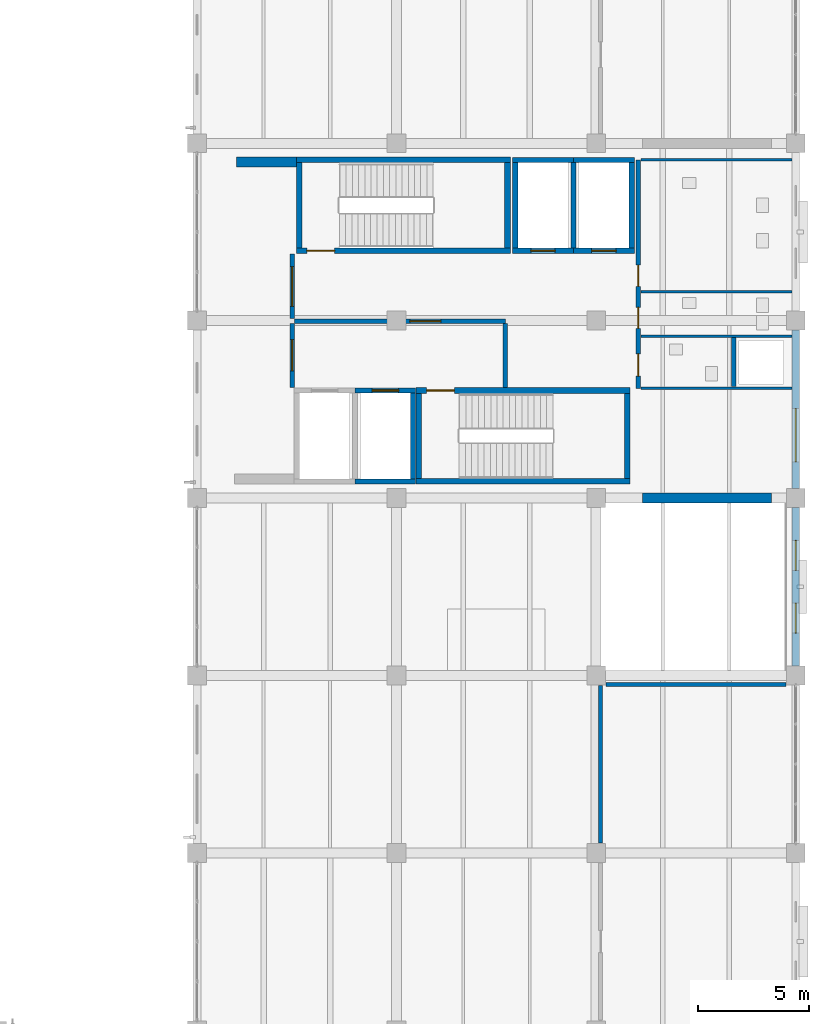
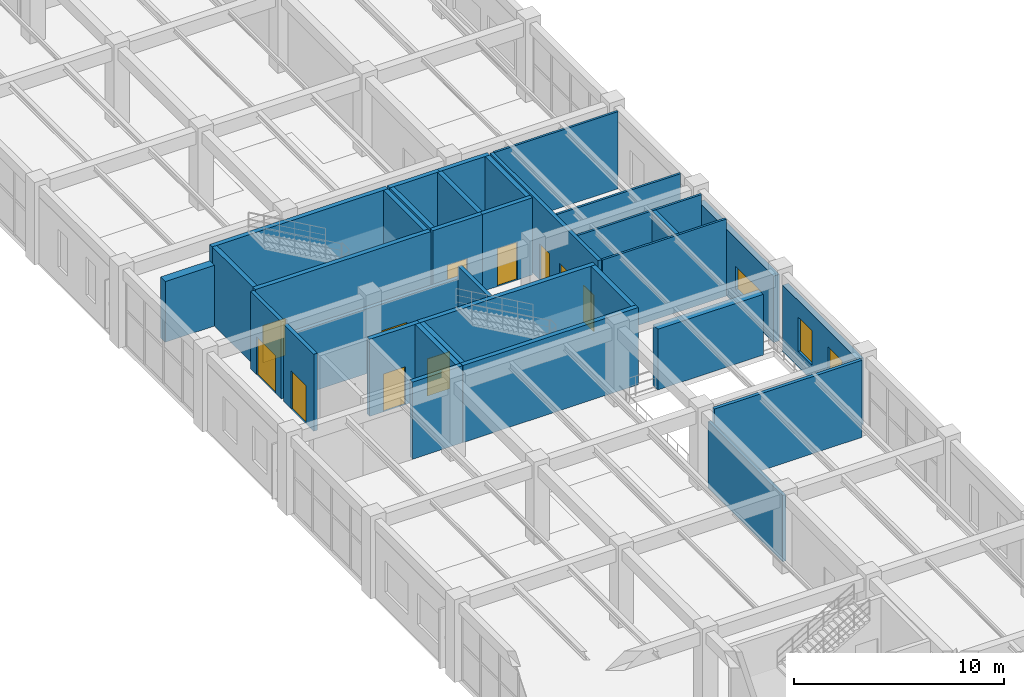
# One storey, part 158 of 178: 34 walls, 11 doors, 3 windows, 14 openings.
"""IFC4 building model written with IfcOpenShell, lengths in metres."""

from ifc_helpers import new_model, si_unit, derived_unit, direction, frame, frame_2d, origin, place, context, subcontext, project, spatial, rectangle, extrude, material, layer, layer_set, type_object, element, fill, save


model = new_model("IFC4")

# Units and contexts
model_context = context("Model", 3, precision=1e-05, world=origin(), true_north=direction((0.0, 1.0)))
body_context = subcontext(model_context, "Body", "Model", "MODEL_VIEW")
ifc_project = project(units=[si_unit("LENGTHUNIT", "METRE"), si_unit("AREAUNIT", "SQUARE_METRE"), si_unit("VOLUMEUNIT", "CUBIC_METRE"), si_unit("PLANEANGLEUNIT", "RADIAN"), si_unit("MASSUNIT", "GRAM", prefix="KILO"), derived_unit("THERMALTRANSMITTANCEUNIT", [(si_unit("MASSUNIT", "GRAM", prefix="KILO"), 1), (si_unit("TIMEUNIT", "SECOND"), -3), (si_unit("THERMODYNAMICTEMPERATUREUNIT", "KELVIN"), -1)])], contexts=[model_context])

# Site, building, storey
site_placement = place(None, origin())
site = spatial("IfcSite", under=ifc_project, at=site_placement, CompositionType="ELEMENT")
building_placement = place(site_placement, origin())
building = spatial("IfcBuilding", under=site, at=building_placement, Name="Zhenchuan Archway Interchange", CompositionType="ELEMENT")
storey_placement = place(building_placement, frame((0.0, 0.0, 5.39990234375)))
storey = spatial("IfcBuildingStorey", under=building, at=storey_placement, Name="L01", CompositionType="ELEMENT", Elevation=5.39990234375)

# Wall, opening, window
ifc_material_1 = material(Name="Granite Stone Cladding", Category="masonry")
ifc_layer_1 = layer(ifc_material_1, 0.320068359375)
ifc_layer_set_1 = layer_set([ifc_layer_1], Name="Granite Stone Cladding")
wall_type_1 = type_object("IfcWallType", Name="EW_GRANITE_320", PredefinedType="STANDARD", material=ifc_layer_set_1)
wall_1_placement = place(storey_placement, frame((171.0, 55.576904296875, 0.0), z_axis=(0.0, 0.0, 1.0), x_axis=(0.0, -1.0, 0.0)))
wall_1 = element("IfcWall", 1, at=wall_1_placement, inside=storey, type_object=wall_type_1, Name="Exterior wall L01-060", PredefinedType="STANDARD", context=body_context, shape_type="SweptSolid", body=[
    extrude(rectangle(XDim=7.15380859375, YDim=0.320068359375, at=frame_2d((3.576904296875, 0.0))), origin(), (0.0, 0.0, 1.0), 3.860107421875),
])
opening_1_placement = place(wall_1_placement, frame((3.54052734375, 0.0, 0.89990234375)))
opening_1 = element("IfcOpeningElement", 2, at=opening_1_placement, cuts=wall_1, Name="Opening W-11", PredefinedType="OPENING", context=body_context, shape_type="SweptSolid", body=[
    extrude(rectangle(XDim=2.39990234375, YDim=1.35009765625, at=frame_2d((1.199951171875, 0.675048828125))), frame((0.0, 0.171875, 0.0), z_axis=(0.0, -1.0, 0.0), x_axis=(1.0, 0.0, 0.0)), (0.0, 0.0, 1.0), 0.343994140625),
])
ifc_material_2 = material(Name="Double Low-E Insulated Glazing", Category="glass")
window_type_1 = type_object("IfcWindowType", Name="WN_CLER_2400x1350", PartitioningType="SINGLE_PANEL", PredefinedType="WINDOW", material=ifc_material_2)
window_1_placement = place(opening_1_placement, origin())
window_1 = element("IfcWindow", 3, at=window_1_placement, inside=storey, type_object=window_type_1, Name="Window L01-0139", OverallHeight=1.35009765625, OverallWidth=2.39990234375, PartitioningType="SINGLE_PANEL", PredefinedType="WINDOW", context=body_context, shape_type="SweptSolid", body=[
    extrude(rectangle(XDim=2.39990234375, YDim=1.35009765625, at=frame_2d((1.199951171875, 0.675048828125))), frame((0.0, 0.030029296875, 0.0), z_axis=(0.0, -1.0, 0.0), x_axis=(1.0, 0.0, 0.0)), (0.0, 0.0, 1.0), 0.06005859375),
])
fill(opening_1, window_1)

# Wall, openings, windows
wall_2_placement = place(storey_placement, frame((171.0, 47.576904296875, 0.0), z_axis=(0.0, 0.0, 1.0), x_axis=(0.0, -1.0, 0.0)))
wall_2 = element("IfcWall", 4, at=wall_2_placement, inside=storey, type_object=wall_type_1, Name="Exterior wall L01-061", PredefinedType="STANDARD", context=body_context, shape_type="SweptSolid", body=[
    extrude(rectangle(XDim=7.15380859375, YDim=0.320068359375, at=frame_2d((3.576904296875, 0.0))), origin(), (0.0, 0.0, 1.0), 3.860107421875),
])
opening_2_placement = place(wall_2_placement, frame((1.484619140625, 0.0, 0.89990234375)))
opening_2 = element("IfcOpeningElement", 5, at=opening_2_placement, cuts=wall_2, Name="Opening W-06", PredefinedType="OPENING", context=body_context, shape_type="SweptSolid", body=[
    extrude(rectangle(XDim=1.35009765625, YDim=2.0, at=frame_2d((0.675048828125, 1.0))), frame((0.0, 0.171875, 0.0), z_axis=(0.0, -1.0, 0.0), x_axis=(1.0, 0.0, 0.0)), (0.0, 0.0, 1.0), 0.343994140625),
])
opening_3_placement = place(wall_2_placement, frame((4.3193359375, 0.0, 0.89990234375)))
opening_3 = element("IfcOpeningElement", 6, at=opening_3_placement, cuts=wall_2, Name="Opening W-06", PredefinedType="OPENING", context=body_context, shape_type="SweptSolid", body=[
    extrude(rectangle(XDim=1.35009765625, YDim=2.0, at=frame_2d((0.675048828125, 1.0))), frame((0.0, 0.171875, 0.0), z_axis=(0.0, -1.0, 0.0), x_axis=(1.0, 0.0, 0.0)), (0.0, 0.0, 1.0), 0.343994140625),
])
window_type_2 = type_object("IfcWindowType", Name="WN_MOD_1350x2000", PartitioningType="SINGLE_PANEL", PredefinedType="WINDOW", material=ifc_material_2)
window_2_placement = place(opening_2_placement, origin())
window_2 = element("IfcWindow", 7, at=window_2_placement, inside=storey, type_object=window_type_2, Name="Window L01-0140", OverallHeight=2.0, OverallWidth=1.35009765625, PartitioningType="SINGLE_PANEL", PredefinedType="WINDOW", context=body_context, shape_type="SweptSolid", body=[
    extrude(rectangle(XDim=1.35009765625, YDim=2.0, at=frame_2d((0.675048828125, 1.0))), frame((0.0, 0.030029296875, 0.0), z_axis=(0.0, -1.0, 0.0), x_axis=(1.0, 0.0, 0.0)), (0.0, 0.0, 1.0), 0.06005859375),
])
fill(opening_2, window_2)
window_3_placement = place(opening_3_placement, origin())
window_3 = element("IfcWindow", 8, at=window_3_placement, inside=storey, type_object=window_type_2, Name="Window L01-0141", OverallHeight=2.0, OverallWidth=1.35009765625, PartitioningType="SINGLE_PANEL", PredefinedType="WINDOW", context=body_context, shape_type="SweptSolid", body=[
    extrude(rectangle(XDim=1.35009765625, YDim=2.0, at=frame_2d((0.675048828125, 1.0))), frame((0.0, 0.030029296875, 0.0), z_axis=(0.0, -1.0, 0.0), x_axis=(1.0, 0.0, 0.0)), (0.0, 0.0, 1.0), 0.06005859375),
])
fill(opening_3, window_3)

# Walls
ifc_material_3 = material(Name="Concrete C50", Category="concrete")
ifc_layer_2 = layer(ifc_material_3, 0.449951171875)
ifc_layer_set_2 = layer_set([ifc_layer_2], Name="Concrete C50")
wall_type_2 = type_object("IfcWallType", Name="WL_CORE_450", PredefinedType="SHEAR", material=ifc_layer_set_2)
wall_3_placement = place(storey_placement, frame((145.77490234375, 63.14990234375, 0.0), z_axis=(0.0, 0.0, 1.0), x_axis=(1.0, 0.0, 0.0)))
element("IfcWall", 9, at=wall_3_placement, inside=storey, type_object=wall_type_2, Name="Operations lateral shear wall W-N (L01)", PredefinedType="SHEAR", context=body_context, shape_type="SweptSolid", body=[
    extrude(rectangle(XDim=2.7001953125, YDim=0.449951171875, at=frame_2d((1.35009765625, 0.0))), origin(), (0.0, 0.0, 1.0), 3.530029296875),
])
wall_4_placement = place(storey_placement, frame((164.10009765625, 48.0, 0.0), z_axis=(0.0, 0.0, 1.0), x_axis=(1.0, 0.0, 0.0)))
element("IfcWall", 10, at=wall_4_placement, inside=storey, type_object=wall_type_2, Name="Operations lateral shear wall E-S (L01)", PredefinedType="SHEAR", context=body_context, shape_type="SweptSolid", body=[
    extrude(rectangle(XDim=5.7998046875, YDim=0.449951171875, at=frame_2d((2.89990234375, 0.0))), origin(), (0.0, 0.0, 1.0), 3.530029296875),
])

# Wall, opening, door
ifc_material_4 = material(Name="Autoclaved Aerated Concrete Block", Category="concrete")
ifc_layer_3 = layer(ifc_material_4, 0.199951171875)
ifc_layer_set_3 = layer_set([ifc_layer_3], Name="Autoclaved Aerated Concrete Block")
wall_type_3 = type_object("IfcWallType", Name="WL_FIRE_200", PredefinedType="STANDARD", material=ifc_layer_set_3)
wall_5_placement = place(storey_placement, frame((148.39990234375, 55.97998046875, 0.0), z_axis=(0.0, 0.0, 1.0), x_axis=(1.0, 0.0, 0.0)))
wall_5 = element("IfcWall", 11, at=wall_5_placement, inside=storey, type_object=wall_type_3, Name="Firefighting lift lobby smoke divider (L01)", PredefinedType="STANDARD", context=body_context, shape_type="SweptSolid", body=[
    extrude(rectangle(XDim=9.5, YDim=0.199951171875, at=frame_2d((4.75, 0.0))), origin(), (0.0, 0.0, 1.0), 3.760009765625),
])
opening_4_placement = place(wall_5_placement, frame((5.199951171875, 0.0, 0.0)))
opening_4 = element("IfcOpeningElement", 12, at=opening_4_placement, cuts=wall_5, Name="Opening FD-04", PredefinedType="OPENING", context=body_context, shape_type="SweptSolid", body=[
    extrude(rectangle(XDim=1.39990234375, YDim=2.199951171875, at=frame_2d((0.699951171875, 1.10009765625))), frame((0.0, 0.11181640625, 0.0), z_axis=(0.0, -1.0, 0.0), x_axis=(1.0, 0.0, 0.0)), (0.0, 0.0, 1.0), 0.223876953125),
])
ifc_material_5 = material(Name="Painted Galvanised Steel", Category="steel")
door_type_1 = type_object("IfcDoorType", Name="DR_LOB_FD60", OperationType="DOUBLE_DOOR_SINGLE_SWING", PredefinedType="DOOR", material=ifc_material_5)
door_1_placement = place(opening_4_placement, origin())
door_1 = element("IfcDoor", 13, at=door_1_placement, inside=storey, type_object=door_type_1, Name="Firefighting to passenger lobby smoke door (L01)", OperationType="DOUBLE_DOOR_SINGLE_SWING", OverallHeight=2.199951171875, OverallWidth=1.39990234375, PredefinedType="DOOR", context=body_context, shape_type="SweptSolid", body=[
    extrude(rectangle(XDim=1.39990234375, YDim=2.199951171875, at=frame_2d((0.699951171875, 1.10009765625))), frame((0.0, 0.02490234375, 0.0), z_axis=(0.0, -1.0, 0.0), x_axis=(1.0, 0.0, 0.0)), (0.0, 0.0, 1.0), 0.050048828125),
])
fill(opening_4, door_1)

# Wall
wall_6_placement = place(storey_placement, frame((157.89990234375, 52.989990234375, 0.0), z_axis=(0.0, 0.0, 1.0), x_axis=(0.0, 1.0, 0.0)))
element("IfcWall", 14, at=wall_6_placement, inside=storey, type_object=wall_type_3, Name="Firefighting lift lobby east fire wall (L01)", PredefinedType="STANDARD", context=body_context, shape_type="SweptSolid", body=[
    extrude(rectangle(XDim=2.880126953125, YDim=0.199951171875, at=frame_2d((1.43994140625, 0.0))), origin(), (0.0, 0.0, 1.0), 4.47998046875),
])

# Wall, opening, door
wall_7_placement = place(storey_placement, frame((148.300048828125, 52.989990234375, 0.0), z_axis=(0.0, 0.0, 1.0), x_axis=(0.0, 1.0, 0.0)))
wall_7 = element("IfcWall", 15, at=wall_7_placement, inside=storey, type_object=wall_type_3, Name="Firefighting lift lobby west fire wall (L01)", PredefinedType="STANDARD", context=body_context, shape_type="SweptSolid", body=[
    extrude(rectangle(XDim=2.880126953125, YDim=0.199951171875, at=frame_2d((1.43994140625, 0.0))), origin(), (0.0, 0.0, 1.0), 4.47998046875),
])
opening_5_placement = place(wall_7_placement, frame((0.75, 0.0, 0.0)))
opening_5 = element("IfcOpeningElement", 16, at=opening_5_placement, cuts=wall_7, Name="Opening FD-04", PredefinedType="OPENING", context=body_context, shape_type="SweptSolid", body=[
    extrude(rectangle(XDim=1.39990234375, YDim=2.199951171875, at=frame_2d((0.699951171875, 1.10009765625))), frame((0.0, 0.11181640625, 0.0), z_axis=(0.0, -1.0, 0.0), x_axis=(1.0, 0.0, 0.0)), (0.0, 0.0, 1.0), 0.223876953125),
])
door_2_placement = place(opening_5_placement, origin())
door_2 = element("IfcDoor", 17, at=door_2_placement, inside=storey, type_object=door_type_1, Name="Firefighting lift lobby corridor fire door (L01)", OperationType="DOUBLE_DOOR_SINGLE_SWING", OverallHeight=2.199951171875, OverallWidth=1.39990234375, PredefinedType="DOOR", context=body_context, shape_type="SweptSolid", body=[
    extrude(rectangle(XDim=1.39990234375, YDim=2.199951171875, at=frame_2d((0.699951171875, 1.10009765625))), frame((0.0, 0.02490234375, 0.0), z_axis=(0.0, -1.0, 0.0), x_axis=(1.0, 0.0, 0.0)), (0.0, 0.0, 1.0), 0.050048828125),
])
fill(opening_5, door_2)

wall_8_placement = place(storey_placement, frame((148.300048828125, 56.090087890625, 0.0), z_axis=(0.0, 0.0, 1.0), x_axis=(0.0, 1.0, 0.0)))
wall_8 = element("IfcWall", 18, at=wall_8_placement, inside=storey, type_object=wall_type_3, Name="Passenger lift lobby west fire wall (L01)", PredefinedType="STANDARD", context=body_context, shape_type="SweptSolid", body=[
    extrude(rectangle(XDim=2.919921875, YDim=0.199951171875, at=frame_2d((1.4599609375, 0.0))), origin(), (0.0, 0.0, 1.0), 4.47998046875),
])
opening_6_placement = place(wall_8_placement, frame((0.550048828125, 0.0, 0.0)))
opening_6 = element("IfcOpeningElement", 19, at=opening_6_placement, cuts=wall_8, Name="Opening ID-01", PredefinedType="OPENING", context=body_context, shape_type="SweptSolid", body=[
    extrude(rectangle(XDim=1.800048828125, YDim=2.199951171875, at=frame_2d((0.89990234375, 1.10009765625))), frame((0.0, 0.11181640625, 0.0), z_axis=(0.0, -1.0, 0.0), x_axis=(1.0, 0.0, 0.0)), (0.0, 0.0, 1.0), 0.223876953125),
])
ifc_material_6 = material(Name="Anodised Aluminium", Category="aluminium")
door_type_2 = type_object("IfcDoorType", Name="DR_LOBBY_DBL", OperationType="DOUBLE_DOOR_SINGLE_SWING", PredefinedType="DOOR", material=ifc_material_6)
door_3_placement = place(opening_6_placement, origin())
door_3 = element("IfcDoor", 20, at=door_3_placement, inside=storey, type_object=door_type_2, Name="Passenger lift lobby entrance door (L01)", OperationType="DOUBLE_DOOR_SINGLE_SWING", OverallHeight=2.199951171875, OverallWidth=1.800048828125, PredefinedType="DOOR", context=body_context, shape_type="SweptSolid", body=[
    extrude(rectangle(XDim=1.800048828125, YDim=2.199951171875, at=frame_2d((0.89990234375, 1.10009765625))), frame((0.0, 0.02490234375, 0.0), z_axis=(0.0, -1.0, 0.0), x_axis=(1.0, 0.0, 0.0)), (0.0, 0.0, 1.0), 0.050048828125),
])
fill(opening_6, door_3)

# Wall, openings, doors
wall_9_placement = place(storey_placement, frame((163.89990234375, 52.949951171875, 0.0), z_axis=(0.0, 0.0, 1.0), x_axis=(0.0, 1.0, 0.0)))
wall_9 = element("IfcWall", 21, at=wall_9_placement, inside=storey, type_object=wall_type_3, Name="Sanitary block west wall (L01)", PredefinedType="STANDARD", context=body_context, shape_type="SweptSolid", body=[
    extrude(rectangle(XDim=10.300048828125, YDim=0.199951171875, at=frame_2d((5.14990234375, 0.0))), origin(), (0.0, 0.0, 1.0), 4.47998046875),
])
opening_7_placement = place(wall_9_placement, frame((0.550048828125, 0.0, 0.0)))
opening_7 = element("IfcOpeningElement", 22, at=opening_7_placement, cuts=wall_9, Name="Opening ID-02", PredefinedType="OPENING", context=body_context, shape_type="SweptSolid", body=[
    extrude(rectangle(XDim=1.0, YDim=2.10009765625, at=frame_2d((0.5, 1.050048828125))), frame((0.0, 0.11181640625, 0.0), z_axis=(0.0, -1.0, 0.0), x_axis=(1.0, 0.0, 0.0)), (0.0, 0.0, 1.0), 0.223876953125),
])
opening_8_placement = place(wall_9_placement, frame((2.699951171875, 0.0, 0.0)))
opening_8 = element("IfcOpeningElement", 23, at=opening_8_placement, cuts=wall_9, Name="Opening ID-03", PredefinedType="OPENING", context=body_context, shape_type="SweptSolid", body=[
    extrude(rectangle(XDim=0.949951171875, YDim=2.10009765625, at=frame_2d((0.47509765625, 1.050048828125))), frame((0.0, 0.11181640625, 0.0), z_axis=(0.0, -1.0, 0.0), x_axis=(1.0, 0.0, 0.0)), (0.0, 0.0, 1.0), 0.223876953125),
])
opening_9_placement = place(wall_9_placement, frame((4.60009765625, 0.0, 0.0)))
opening_9 = element("IfcOpeningElement", 24, at=opening_9_placement, cuts=wall_9, Name="Opening ID-03", PredefinedType="OPENING", context=body_context, shape_type="SweptSolid", body=[
    extrude(rectangle(XDim=0.949951171875, YDim=2.10009765625, at=frame_2d((0.47509765625, 1.050048828125))), frame((0.0, 0.11181640625, 0.0), z_axis=(0.0, -1.0, 0.0), x_axis=(1.0, 0.0, 0.0)), (0.0, 0.0, 1.0), 0.223876953125),
])
ifc_material_7 = material(Name="Hardwood Timber", Category="wood")
door_type_3 = type_object("IfcDoorType", Name="DR_OPS_100", OperationType="NOTDEFINED", PredefinedType="DOOR", material=ifc_material_7)
door_4_placement = place(opening_7_placement, origin())
door_4 = element("IfcDoor", 25, at=door_4_placement, inside=storey, type_object=door_type_3, Name="Accessible WC door (L01)", OperationType="SINGLE_SWING_LEFT", OverallHeight=2.10009765625, OverallWidth=1.0, PredefinedType="DOOR", context=body_context, shape_type="SweptSolid", body=[
    extrude(rectangle(XDim=1.0, YDim=2.10009765625, at=frame_2d((0.5, 1.050048828125))), frame((0.0, 0.02490234375, 0.0), z_axis=(0.0, -1.0, 0.0), x_axis=(1.0, 0.0, 0.0)), (0.0, 0.0, 1.0), 0.050048828125),
])
fill(opening_7, door_4)
door_type_4 = type_object("IfcDoorType", Name="DR_WC_95", OperationType="NOTDEFINED", PredefinedType="DOOR", material=ifc_material_7)
door_5_placement = place(opening_8_placement, origin())
door_5 = element("IfcDoor", 26, at=door_5_placement, inside=storey, type_object=door_type_4, Name="Male toilet door (L01)", OperationType="SINGLE_SWING_RIGHT", OverallHeight=2.10009765625, OverallWidth=0.949951171875, PredefinedType="DOOR", context=body_context, shape_type="SweptSolid", body=[
    extrude(rectangle(XDim=0.949951171875, YDim=2.10009765625, at=frame_2d((0.47509765625, 1.050048828125))), frame((0.0, 0.02490234375, 0.0), z_axis=(0.0, -1.0, 0.0), x_axis=(1.0, 0.0, 0.0)), (0.0, 0.0, 1.0), 0.050048828125),
])
fill(opening_8, door_5)
door_6_placement = place(opening_9_placement, origin())
door_6 = element("IfcDoor", 27, at=door_6_placement, inside=storey, type_object=door_type_4, Name="Female toilet door (L01)", OperationType="SINGLE_SWING_LEFT", OverallHeight=2.10009765625, OverallWidth=0.949951171875, PredefinedType="DOOR", context=body_context, shape_type="SweptSolid", body=[
    extrude(rectangle(XDim=0.949951171875, YDim=2.10009765625, at=frame_2d((0.47509765625, 1.050048828125))), frame((0.0, 0.02490234375, 0.0), z_axis=(0.0, -1.0, 0.0), x_axis=(1.0, 0.0, 0.0)), (0.0, 0.0, 1.0), 0.050048828125),
])
fill(opening_9, door_6)

# Wall
wall_10_placement = place(storey_placement, frame((168.199951171875, 53.02001953125, 0.0), z_axis=(0.0, 0.0, 1.0), x_axis=(0.0, 1.0, 0.0)))
element("IfcWall", 28, at=wall_10_placement, inside=storey, type_object=wall_type_3, Name="MEP riser west fire wall (L01)", PredefinedType="STANDARD", context=body_context, shape_type="SweptSolid", body=[
    extrude(rectangle(XDim=2.2099609375, YDim=0.199951171875, at=frame_2d((1.10498046875, 0.0))), origin(), (0.0, 0.0, 1.0), 4.47998046875),
])

# Wall, opening, door
ifc_material_8 = material(Name="Concrete C40", Category="concrete")
ifc_layer_4 = layer(ifc_material_8, 0.239990234375)
ifc_layer_set_4 = layer_set([ifc_layer_4], Name="Concrete C40")
wall_type_4 = type_object("IfcWallType", Name="WL_LIFT_240", PredefinedType="SHEAR", material=ifc_layer_set_4)
wall_11_placement = place(storey_placement, frame((158.22998046875, 59.14990234375, 0.0), z_axis=(0.0, 0.0, 1.0), x_axis=(1.0, 0.0, 0.0)))
wall_11 = element("IfcWall", 29, at=wall_11_placement, inside=storey, type_object=wall_type_4, Name="Lift LF-06 south shaft wall (L01)", PredefinedType="SHEAR", context=body_context, shape_type="SweptSolid", body=[
    extrude(rectangle(XDim=2.7451171875, YDim=0.239990234375, at=frame_2d((1.37255859375, 0.0))), origin(), (0.0, 0.0, 1.0), 4.47998046875),
])
opening_10_placement = place(wall_11_placement, frame((0.820068359375, 0.0, 0.0)))
opening_10 = element("IfcOpeningElement", 30, at=opening_10_placement, cuts=wall_11, Name="Opening LD-01", PredefinedType="OPENING", context=body_context, shape_type="SweptSolid", body=[
    extrude(rectangle(XDim=1.10009765625, YDim=2.199951171875, at=frame_2d((0.550048828125, 1.10009765625))), frame((0.0, 0.1318359375, 0.0), z_axis=(0.0, -1.0, 0.0), x_axis=(1.0, 0.0, 0.0)), (0.0, 0.0, 1.0), 0.263916015625),
])
ifc_material_9 = material(Name="Stainless Steel 304", Category="steel")
door_type_5 = type_object("IfcDoorType", Name="DR_LIFT_LD110", OperationType="DOUBLE_DOOR_SLIDING", PredefinedType="DOOR", material=ifc_material_9)
door_7_placement = place(opening_10_placement, origin())
door_7 = element("IfcDoor", 31, at=door_7_placement, inside=storey, type_object=door_type_5, Name="Lift LF-06 landing door (L01)", OperationType="DOUBLE_DOOR_SLIDING", OverallHeight=2.199951171875, OverallWidth=1.10009765625, PredefinedType="DOOR", context=body_context, shape_type="SweptSolid", body=[
    extrude(rectangle(XDim=1.10009765625, YDim=2.199951171875, at=frame_2d((0.550048828125, 1.10009765625))), frame((0.0, 0.02490234375, 0.0), z_axis=(0.0, -1.0, 0.0), x_axis=(1.0, 0.0, 0.0)), (0.0, 0.0, 1.0), 0.050048828125),
])
fill(opening_10, door_7)

# Walls
wall_12_placement = place(storey_placement, frame((160.97509765625, 63.25, 0.0), z_axis=(0.0, 0.0, 1.0), x_axis=(-1.0, 0.0, 0.0)))
element("IfcWall", 32, at=wall_12_placement, inside=storey, type_object=wall_type_4, Name="Lift LF-06 north shaft wall (L01)", PredefinedType="SHEAR", context=body_context, shape_type="SweptSolid", body=[
    extrude(rectangle(XDim=2.7451171875, YDim=0.239990234375, at=frame_2d((1.37255859375, 0.0))), origin(), (0.0, 0.0, 1.0), 4.47998046875),
])
for number, where, z_axis, x_axis, name in (
    (33, (158.35009765625, 63.1298828125, 0.0), (0.0, 0.0, 1.0), (0.0, -1.0, 0.0), "Lift LF-06 west shaft wall (L01)"),
    (34, (160.97509765625, 59.27001953125, 0.0), (0.0, 0.0, 1.0), (0.0, 1.0, 0.0), "Lift LF-06 east shaft wall (L01)"),
):
    element("IfcWall", number, at=place(storey_placement, frame(where, z_axis=z_axis, x_axis=x_axis)), inside=storey, type_object=wall_type_4, Name=name, PredefinedType="SHEAR", context=body_context, shape_type="SweptSolid", body=[
        extrude(rectangle(XDim=3.85986328125, YDim=0.239990234375, at=frame_2d((1.929931640625, 0.0))), origin(), (0.0, 0.0, 1.0), 4.47998046875),
    ])

# Wall, opening, door
wall_13_placement = place(storey_placement, frame((160.97509765625, 59.14990234375, 0.0), z_axis=(0.0, 0.0, 1.0), x_axis=(1.0, 0.0, 0.0)))
wall_13 = element("IfcWall", 35, at=wall_13_placement, inside=storey, type_object=wall_type_4, Name="Lift LF-07 south shaft wall (L01)", PredefinedType="SHEAR", context=body_context, shape_type="SweptSolid", body=[
    extrude(rectangle(XDim=2.744873046875, YDim=0.239990234375, at=frame_2d((1.37255859375, 0.0))), origin(), (0.0, 0.0, 1.0), 4.47998046875),
])
opening_11_placement = place(wall_13_placement, frame((0.824951171875, 0.0, 0.0)))
opening_11 = element("IfcOpeningElement", 36, at=opening_11_placement, cuts=wall_13, Name="Opening LD-01", PredefinedType="OPENING", context=body_context, shape_type="SweptSolid", body=[
    extrude(rectangle(XDim=1.10009765625, YDim=2.199951171875, at=frame_2d((0.550048828125, 1.10009765625))), frame((0.0, 0.1318359375, 0.0), z_axis=(0.0, -1.0, 0.0), x_axis=(1.0, 0.0, 0.0)), (0.0, 0.0, 1.0), 0.263916015625),
])
door_8_placement = place(opening_11_placement, origin())
door_8 = element("IfcDoor", 37, at=door_8_placement, inside=storey, type_object=door_type_5, Name="Lift LF-07 landing door (L01)", OperationType="DOUBLE_DOOR_SLIDING", OverallHeight=2.199951171875, OverallWidth=1.10009765625, PredefinedType="DOOR", context=body_context, shape_type="SweptSolid", body=[
    extrude(rectangle(XDim=1.10009765625, YDim=2.199951171875, at=frame_2d((0.550048828125, 1.10009765625))), frame((0.0, 0.02490234375, 0.0), z_axis=(0.0, -1.0, 0.0), x_axis=(1.0, 0.0, 0.0)), (0.0, 0.0, 1.0), 0.050048828125),
])
fill(opening_11, door_8)

# Walls
wall_14_placement = place(storey_placement, frame((163.719970703125, 63.25, 0.0), z_axis=(0.0, 0.0, 1.0), x_axis=(-1.0, 0.0, 0.0)))
element("IfcWall", 38, at=wall_14_placement, inside=storey, type_object=wall_type_4, Name="Lift LF-07 north shaft wall (L01)", PredefinedType="SHEAR", context=body_context, shape_type="SweptSolid", body=[
    extrude(rectangle(XDim=2.744873046875, YDim=0.239990234375, at=frame_2d((1.37255859375, 0.0))), origin(), (0.0, 0.0, 1.0), 4.47998046875),
])
wall_15_placement = place(storey_placement, frame((163.60009765625, 59.27001953125, 0.0), z_axis=(0.0, 0.0, 1.0), x_axis=(0.0, 1.0, 0.0)))
element("IfcWall", 39, at=wall_15_placement, inside=storey, type_object=wall_type_4, Name="Lift LF-07 east shaft wall (L01)", PredefinedType="SHEAR", context=body_context, shape_type="SweptSolid", body=[
    extrude(rectangle(XDim=3.85986328125, YDim=0.239990234375, at=frame_2d((1.929931640625, 0.0))), origin(), (0.0, 0.0, 1.0), 4.47998046875),
])
wall_16_placement = place(storey_placement, frame((151.1201171875, 48.75, 0.0), z_axis=(0.0, 0.0, 1.0), x_axis=(1.0, 0.0, 0.0)))
element("IfcWall", 40, at=wall_16_placement, inside=storey, type_object=wall_type_4, Name="Lift LF-09 south shaft wall (L01)", PredefinedType="SHEAR", context=body_context, shape_type="SweptSolid", body=[
    extrude(rectangle(XDim=2.739990234375, YDim=0.239990234375, at=frame_2d((1.3701171875, 0.0))), origin(), (0.0, 0.0, 1.0), 4.47998046875),
])

# Wall, opening, door
wall_17_placement = place(storey_placement, frame((153.860107421875, 52.85009765625, 0.0), z_axis=(0.0, 0.0, 1.0), x_axis=(-1.0, 0.0, 0.0)))
wall_17 = element("IfcWall", 41, at=wall_17_placement, inside=storey, type_object=wall_type_4, Name="Lift LF-09 north shaft wall (L01)", PredefinedType="SHEAR", context=body_context, shape_type="SweptSolid", body=[
    extrude(rectangle(XDim=2.739990234375, YDim=0.239990234375, at=frame_2d((1.3701171875, 0.0))), origin(), (0.0, 0.0, 1.0), 4.47998046875),
])
opening_12_placement = place(wall_17_placement, frame((0.77001953125, 0.0, 0.0)))
opening_12 = element("IfcOpeningElement", 42, at=opening_12_placement, cuts=wall_17, Name="Opening LD-02", PredefinedType="OPENING", context=body_context, shape_type="SweptSolid", body=[
    extrude(rectangle(XDim=1.199951171875, YDim=2.199951171875, at=frame_2d((0.60009765625, 1.10009765625))), frame((0.0, 0.1318359375, 0.0), z_axis=(0.0, -1.0, 0.0), x_axis=(1.0, 0.0, 0.0)), (0.0, 0.0, 1.0), 0.263916015625),
])
door_type_6 = type_object("IfcDoorType", Name="DR_LIFT_LD120", OperationType="DOUBLE_DOOR_SLIDING", PredefinedType="DOOR", material=ifc_material_9)
door_9_placement = place(opening_12_placement, origin())
door_9 = element("IfcDoor", 43, at=door_9_placement, inside=storey, type_object=door_type_6, Name="Lift LF-09 landing door (L01)", OperationType="DOUBLE_DOOR_SLIDING", OverallHeight=2.199951171875, OverallWidth=1.199951171875, PredefinedType="DOOR", context=body_context, shape_type="SweptSolid", body=[
    extrude(rectangle(XDim=1.199951171875, YDim=2.199951171875, at=frame_2d((0.60009765625, 1.10009765625))), frame((0.0, 0.02490234375, 0.0), z_axis=(0.0, -1.0, 0.0), x_axis=(1.0, 0.0, 0.0)), (0.0, 0.0, 1.0), 0.050048828125),
])
fill(opening_12, door_9)

# Walls
wall_18_placement = place(storey_placement, frame((153.739990234375, 48.8701171875, 0.0), z_axis=(0.0, 0.0, 1.0), x_axis=(0.0, 1.0, 0.0)))
element("IfcWall", 44, at=wall_18_placement, inside=storey, type_object=wall_type_4, Name="Lift LF-09 east shaft wall (L01)", PredefinedType="SHEAR", context=body_context, shape_type="SweptSolid", body=[
    extrude(rectangle(XDim=3.85986328125, YDim=0.239990234375, at=frame_2d((1.929931640625, 0.0))), origin(), (0.0, 0.0, 1.0), 4.47998046875),
])
ifc_material_10 = material(Name="Concrete Block Masonry", Category="masonry")
ifc_layer_5 = layer(ifc_material_10, 0.179931640625)
ifc_layer_set_5 = layer_set([ifc_layer_5], Name="Concrete Block Masonry")
wall_type_5 = type_object("IfcWallType", Name="WL_PART_180", PredefinedType="STANDARD", material=ifc_layer_set_5)
wall_19_placement = place(storey_placement, frame((162.449951171875, 39.60009765625, 0.0), z_axis=(0.0, 0.0, 1.0), x_axis=(1.0, 0.0, 0.0)))
element("IfcWall", 45, at=wall_19_placement, inside=storey, type_object=wall_type_5, Name="Transit Heritage and Community Room N partition (L01)", PredefinedType="STANDARD", context=body_context, shape_type="SweptSolid", body=[
    extrude(rectangle(XDim=8.10009765625, YDim=0.179931640625, at=frame_2d((4.050048828125, 0.0))), origin(), (0.0, 0.0, 1.0), 4.47998046875),
])
wall_20_placement = place(storey_placement, frame((162.199951171875, 32.449951171875, 0.0), z_axis=(0.0, 0.0, 1.0), x_axis=(0.0, 1.0, 0.0)))
element("IfcWall", 46, at=wall_20_placement, inside=storey, type_object=wall_type_5, Name="Transit Heritage and Community Room W partition (L01)", PredefinedType="STANDARD", context=body_context, shape_type="SweptSolid", body=[
    extrude(rectangle(XDim=7.10009765625, YDim=0.179931640625, at=frame_2d((3.550048828125, 0.0))), origin(), (0.0, 0.0, 1.0), 3.860107421875),
])

# Wall, opening, door
ifc_layer_6 = layer(ifc_material_8, 0.25)
ifc_layer_set_6 = layer_set([ifc_layer_6], Name="Concrete C40")
wall_type_6 = type_object("IfcWallType", Name="WL_STAIR_250", PredefinedType="SHEAR", material=ifc_layer_set_6)
wall_21_placement = place(storey_placement, frame((148.47509765625, 59.14990234375, 0.0), z_axis=(0.0, 0.0, 1.0), x_axis=(1.0, 0.0, 0.0)))
wall_21 = element("IfcWall", 47, at=wall_21_placement, inside=storey, type_object=wall_type_6, Name="Stair ST-O1 south wall (L01)", PredefinedType="SHEAR", context=body_context, shape_type="SweptSolid", body=[
    extrude(rectangle(XDim=9.64990234375, YDim=0.25, at=frame_2d((4.824951171875, 0.0))), origin(), (0.0, 0.0, 1.0), 4.47998046875),
])
opening_13_placement = place(wall_21_placement, frame((0.47509765625, 0.0, 0.0)))
opening_13 = element("IfcOpeningElement", 48, at=opening_13_placement, cuts=wall_21, Name="Opening FD-01", PredefinedType="OPENING", context=body_context, shape_type="SweptSolid", body=[
    extrude(rectangle(XDim=1.25, YDim=2.14990234375, at=frame_2d((0.625, 1.074951171875))), frame((0.0, 0.136962890625, 0.0), z_axis=(0.0, -1.0, 0.0), x_axis=(1.0, 0.0, 0.0)), (0.0, 0.0, 1.0), 0.27392578125),
])
door_type_7 = type_object("IfcDoorType", Name="DR_STAIR_FD90", OperationType="NOTDEFINED", PredefinedType="DOOR", material=ifc_material_5)
door_10_placement = place(opening_13_placement, origin())
door_10 = element("IfcDoor", 49, at=door_10_placement, inside=storey, type_object=door_type_7, Name="Stair ST-O1 fire door (L01)", OperationType="SINGLE_SWING_RIGHT", OverallHeight=2.14990234375, OverallWidth=1.25, PredefinedType="DOOR", context=body_context, shape_type="SweptSolid", body=[
    extrude(rectangle(XDim=1.25, YDim=2.14990234375, at=frame_2d((0.625, 1.074951171875))), frame((0.0, 0.02490234375, 0.0), z_axis=(0.0, -1.0, 0.0), x_axis=(1.0, 0.0, 0.0)), (0.0, 0.0, 1.0), 0.050048828125),
])
fill(opening_13, door_10)

# Walls
wall_22_placement = place(storey_placement, frame((158.125, 63.25, 0.0), z_axis=(0.0, 0.0, 1.0), x_axis=(-1.0, 0.0, 0.0)))
element("IfcWall", 50, at=wall_22_placement, inside=storey, type_object=wall_type_6, Name="Stair ST-O1 north wall (L01)", PredefinedType="SHEAR", context=body_context, shape_type="SweptSolid", body=[
    extrude(rectangle(XDim=9.64990234375, YDim=0.25, at=frame_2d((4.824951171875, 0.0))), origin(), (0.0, 0.0, 1.0), 4.47998046875),
])
for number, where, z_axis, x_axis, name in (
    (51, (148.60009765625, 63.125, 0.0), (0.0, 0.0, 1.0), (0.0, -1.0, 0.0), "Stair ST-O1 west wall (L01)"),
    (52, (158.0, 59.27490234375, 0.0), (0.0, 0.0, 1.0), (0.0, 1.0, 0.0), "Stair ST-O1 east wall (L01)"),
):
    element("IfcWall", number, at=place(storey_placement, frame(where, z_axis=z_axis, x_axis=x_axis)), inside=storey, type_object=wall_type_6, Name=name, PredefinedType="SHEAR", context=body_context, shape_type="SweptSolid", body=[
        extrude(rectangle(XDim=3.85009765625, YDim=0.25, at=frame_2d((1.925048828125, 0.0))), origin(), (0.0, 0.0, 1.0), 4.47998046875),
    ])
wall_23_placement = place(storey_placement, frame((153.875, 48.75, 0.0), z_axis=(0.0, 0.0, 1.0), x_axis=(1.0, 0.0, 0.0)))
element("IfcWall", 53, at=wall_23_placement, inside=storey, type_object=wall_type_6, Name="Stair ST-O2 south wall (L01)", PredefinedType="SHEAR", context=body_context, shape_type="SweptSolid", body=[
    extrude(rectangle(XDim=9.64990234375, YDim=0.25, at=frame_2d((4.824951171875, 0.0))), origin(), (0.0, 0.0, 1.0), 4.47998046875),
])

# Wall, opening, door
wall_24_placement = place(storey_placement, frame((163.52490234375, 52.85009765625, 0.0), z_axis=(0.0, 0.0, 1.0), x_axis=(-1.0, 0.0, 0.0)))
wall_24 = element("IfcWall", 54, at=wall_24_placement, inside=storey, type_object=wall_type_6, Name="Stair ST-O2 north wall (L01)", PredefinedType="SHEAR", context=body_context, shape_type="SweptSolid", body=[
    extrude(rectangle(XDim=9.64990234375, YDim=0.25, at=frame_2d((4.824951171875, 0.0))), origin(), (0.0, 0.0, 1.0), 4.47998046875),
])
opening_14_placement = place(wall_24_placement, frame((7.925048828125, 0.0, 0.0)))
opening_14 = element("IfcOpeningElement", 55, at=opening_14_placement, cuts=wall_24, Name="Opening FD-01", PredefinedType="OPENING", context=body_context, shape_type="SweptSolid", body=[
    extrude(rectangle(XDim=1.25, YDim=2.14990234375, at=frame_2d((0.625, 1.074951171875))), frame((0.0, 0.136962890625, 0.0), z_axis=(0.0, -1.0, 0.0), x_axis=(1.0, 0.0, 0.0)), (0.0, 0.0, 1.0), 0.27392578125),
])
door_11_placement = place(opening_14_placement, origin())
door_11 = element("IfcDoor", 56, at=door_11_placement, inside=storey, type_object=door_type_7, Name="Stair ST-O2 fire door (L01)", OperationType="SINGLE_SWING_LEFT", OverallHeight=2.14990234375, OverallWidth=1.25, PredefinedType="DOOR", context=body_context, shape_type="SweptSolid", body=[
    extrude(rectangle(XDim=1.25, YDim=2.14990234375, at=frame_2d((0.625, 1.074951171875))), frame((0.0, 0.02490234375, 0.0), z_axis=(0.0, -1.0, 0.0), x_axis=(1.0, 0.0, 0.0)), (0.0, 0.0, 1.0), 0.050048828125),
])
fill(opening_14, door_11)

# Walls
for number, where, z_axis, x_axis, name in (
    (57, (154.0, 52.72509765625, 0.0), (0.0, 0.0, 1.0), (0.0, -1.0, 0.0), "Stair ST-O2 west wall (L01)"),
    (58, (163.39990234375, 48.875, 0.0), (0.0, 0.0, 1.0), (0.0, 1.0, 0.0), "Stair ST-O2 east wall (L01)"),
):
    element("IfcWall", number, at=place(storey_placement, frame(where, z_axis=z_axis, x_axis=x_axis)), inside=storey, type_object=wall_type_6, Name=name, PredefinedType="SHEAR", context=body_context, shape_type="SweptSolid", body=[
        extrude(rectangle(XDim=3.85009765625, YDim=0.25, at=frame_2d((1.925048828125, 0.0))), origin(), (0.0, 0.0, 1.0), 4.47998046875),
    ])
ifc_material_11 = material(Name="Gypsum Plasterboard", Category="gypsum")
ifc_layer_7 = layer(ifc_material_11, 0.1201171875)
ifc_layer_set_7 = layer_set([ifc_layer_7], Name="Gypsum Plasterboard")
wall_type_7 = type_object("IfcWallType", Name="WL_WC_120", PredefinedType="STANDARD", material=ifc_layer_set_7)
for number, where, z_axis, x_axis, name in (
    (59, (164.010009765625, 52.949951171875, 0.0), (0.0, 0.0, 1.0), (1.0, 0.0, 0.0), "Sanitary divider S (L01)"),
    (60, (164.010009765625, 55.300048828125, 0.0), (0.0, 0.0, 1.0), (1.0, 0.0, 0.0), "Sanitary divider AM (L01)"),
    (61, (164.010009765625, 57.300048828125, 0.0), (0.0, 0.0, 1.0), (1.0, 0.0, 0.0), "Sanitary divider MF (L01)"),
    (62, (164.010009765625, 63.25, 0.0), (0.0, 0.0, 1.0), (1.0, 0.0, 0.0), "Sanitary divider FN (L01)"),
):
    element("IfcWall", number, at=place(storey_placement, frame(where, z_axis=z_axis, x_axis=x_axis)), inside=storey, type_object=wall_type_7, Name=name, PredefinedType="STANDARD", context=body_context, shape_type="SweptSolid", body=[
        extrude(rectangle(XDim=6.81494140625, YDim=0.1201171875, at=frame_2d((3.407470703125, 0.0))), origin(), (0.0, 0.0, 1.0), 4.47998046875),
    ])

save(model, "model.ifc")
